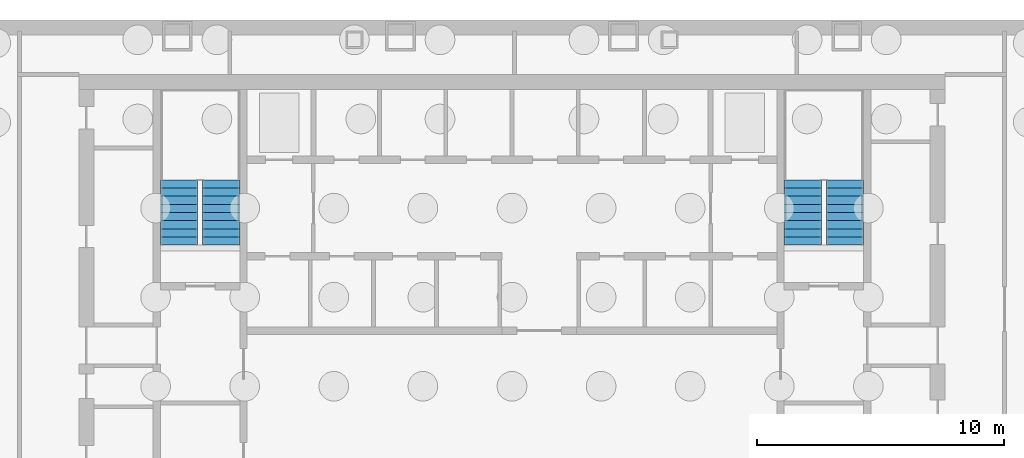
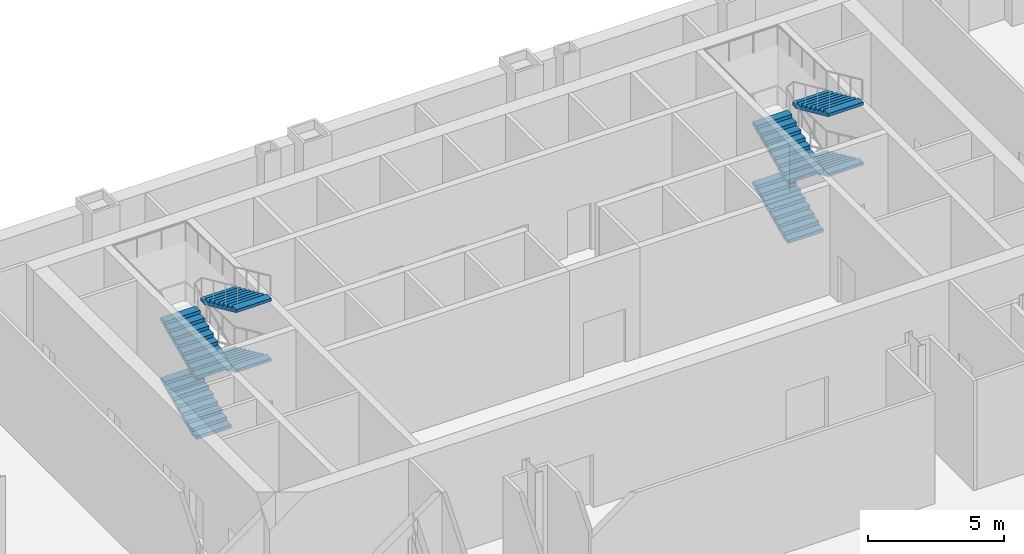
# One storey, part 15 of 19: 8 stair flights, 2 elements without a shape of their own.
"""IFC4 building model written with IfcOpenShell, lengths in metres."""

import ifcopenshell
import ifcopenshell.guid

model = None  # the IFC model being written
_history = None  # IfcOwnerHistory: only IFC2X3 demands one
_inside = {}  # id of a spatial element -> (the spatial element, [elements in it])
_under = {}  # id of a project, library or spatial element -> (it, [spatial elements below it])
_declared = {}  # id of a project -> (the project, [libraries it declares])
_typed = {}  # id of a type object -> (the type object, [elements of that type])
_made_of = {}  # id of a material, layer set ... -> (it, [elements and type objects made of it])


def new_model(schema):
    """Start an empty IFC model of exactly this schema.

    Asked for "IFC4X3", IfcOpenShell would pick the latest addendum, in which some entities
    have other attributes; the version numbers below select the first issue.
    IFC2X3 requires an IfcOwnerHistory on every rooted entity: one is made here for all.
    """
    global model, _history
    if schema == "IFC4X3":
        model = ifcopenshell.file(schema_version=(4, 3, 0, 0))
    else:
        model = ifcopenshell.file(schema=schema)
    _inside.clear()
    _under.clear()
    _declared.clear()
    _typed.clear()
    _made_of.clear()
    _history = None
    if model.schema == "IFC2X3":
        org = make("IfcOrganization", Name="unknown")
        user = make(
            "IfcPersonAndOrganization",
            ThePerson=make("IfcPerson", FamilyName="unknown"),
            TheOrganization=org,
        )
        app = make(
            "IfcApplication",
            ApplicationDeveloper=org,
            Version="unknown",
            ApplicationFullName="unknown",
            ApplicationIdentifier="unknown",
        )
        _history = make(
            "IfcOwnerHistory",
            OwningUser=user,
            OwningApplication=app,
            ChangeAction="ADDED",
            CreationDate=0,
        )
    return model


def make(cls, **values):
    """One entity of the class cls with the attributes given. An attribute that is None is left unset."""
    return model.create_entity(
        cls, **{name: value for name, value in values.items() if value is not None}
    )


def rooted(cls, **values):
    """An entity with a GlobalId (a new one), such as an element, a storey or a relation."""
    return make(cls, GlobalId=ifcopenshell.guid.new(), OwnerHistory=_history, **values)


def si_unit(unit_type, name, prefix=None):
    """IfcSIUnit, for example si_unit("LENGTHUNIT", "METRE", prefix="MILLI")."""
    return make("IfcSIUnit", UnitType=unit_type, Prefix=prefix, Name=name)


def assignment(units):
    """IfcUnitAssignment: the units of a project."""
    return None if units is None else make("IfcUnitAssignment", Units=units)


def point(xyz):
    """IfcCartesianPoint."""
    return None if xyz is None else make("IfcCartesianPoint", Coordinates=xyz)


def direction(xyz):
    """IfcDirection."""
    return None if xyz is None else make("IfcDirection", DirectionRatios=xyz)


def frame(location, z_axis=None, x_axis=None):
    """IfcAxis2Placement3D, a coordinate frame: its origin and axes. An axis left out is left unset."""
    return make(
        "IfcAxis2Placement3D",
        Location=point(location),
        Axis=direction(z_axis),
        RefDirection=direction(x_axis),
    )


def origin():
    """The frame at (0, 0, 0) with its axes left unset."""
    return frame((0.0, 0.0, 0.0))


def place(relative_to, where):
    """IfcLocalPlacement: puts the frame where relative to a parent placement (None: the world)."""
    return make(
        "IfcLocalPlacement", PlacementRelTo=relative_to, RelativePlacement=where
    )


def context(
    kind, dimensions, precision=None, world=None, true_north=None, identifier=None
):
    """IfcGeometricRepresentationContext, for example the 3D "Model" context."""
    return make(
        "IfcGeometricRepresentationContext",
        ContextIdentifier=identifier,
        ContextType=kind,
        CoordinateSpaceDimension=dimensions,
        Precision=precision,
        WorldCoordinateSystem=world,
        TrueNorth=true_north,
    )


def subcontext(parent, identifier, kind, view, scale=None):
    """IfcGeometricRepresentationSubContext, for example "Body" below "Model"."""
    return make(
        "IfcGeometricRepresentationSubContext",
        ContextIdentifier=identifier,
        ContextType=kind,
        ParentContext=parent,
        TargetScale=scale,
        TargetView=view,
    )


def project(units=None, contexts=None):
    """IfcProject with its units and contexts."""
    return rooted(
        "IfcProject",
        Name="project",
        RepresentationContexts=contexts,
        UnitsInContext=assignment(units),
    )


def spatial(cls, under=None, at=None, **own):
    """A site, building, storey or space (cls), placed at a placement, below another one or the project."""
    s = rooted(cls, ObjectPlacement=at, **own)
    if under is not None:
        _under.setdefault(under.id(), (under, []))[1].append(s)
    return s


def point_list(points):
    """IfcCartesianPointList2D or 3D."""
    cls = (
        "IfcCartesianPointList2D" if len(points[0]) == 2 else "IfcCartesianPointList3D"
    )
    return make(cls, CoordList=points)


def polygons(points, faces, closed=None, point_numbers=None):
    """IfcPolygonalFaceSet: a face is its outer loop, then its inner loops; points numbered from 1."""
    made = []
    for loops in faces:
        if len(loops) == 1:
            made.append(make("IfcIndexedPolygonalFace", CoordIndex=loops[0]))
        else:
            made.append(
                make(
                    "IfcIndexedPolygonalFaceWithVoids",
                    CoordIndex=loops[0],
                    InnerCoordIndices=loops[1:],
                )
            )
    return make(
        "IfcPolygonalFaceSet",
        Coordinates=point_list(points),
        Closed=closed,
        Faces=made,
        PnIndex=point_numbers,
    )


def shape(context_of_items, identifier, shape_type, items):
    """IfcShapeRepresentation: the items that make up one representation, for example the "Body"."""
    return make(
        "IfcShapeRepresentation",
        ContextOfItems=context_of_items,
        RepresentationIdentifier=identifier,
        RepresentationType=shape_type,
        Items=items,
    )


def material(Name=None, Category=None):
    """IfcMaterial."""
    return make("IfcMaterial", Name=Name, Category=Category)


def made_of(thing, what):
    """Note that an element or type object is made of a material, layer set ...; save() writes the relation."""
    if what is not None:
        _made_of.setdefault(what.id(), (what, []))[1].append(thing)
    return thing


def type_object(cls, material=None, **own):
    """A type object (cls), such as IfcWallType, which elements share."""
    return made_of(rooted(cls, **own), material)


def element(
    cls,
    number,
    at=None,
    inside=None,
    cuts=None,
    type_object=None,
    material=None,
    context=None,
    identifier="Body",
    shape_type=None,
    held_by="IfcProductDefinitionShape",
    body=None,
    shapes=None,
    **own,
):
    """One element of the class cls, such as IfcWall. Its Tag is "e" and its number.

    at: its placement. inside: the storey or other place that contains it. cuts: it is an
    opening in that element (IfcRelVoidsElement). A single representation is given by context,
    identifier, shape_type and body (its items); several are given by shapes. held_by: the class
    of the entity that holds the representations. save() writes the other relations.
    """
    e = rooted(cls, Tag="e%d" % number, ObjectPlacement=at, **own)
    if body is not None:
        shapes = [shape(context, identifier, shape_type, body)]
    if shapes is not None:
        e.Representation = make(held_by, Representations=shapes)
    if inside is not None:
        _inside.setdefault(inside.id(), (inside, []))[1].append(e)
    if cuts is not None:
        rooted(
            "IfcRelVoidsElement", RelatingBuildingElement=cuts, RelatedOpeningElement=e
        )
    if type_object is not None:
        _typed.setdefault(type_object.id(), (type_object, []))[1].append(e)
    return made_of(e, material)


def aggregate(whole, parts):
    """IfcRelAggregates: a whole, such as a stair, and the parts it consists of."""
    return rooted("IfcRelAggregates", RelatingObject=whole, RelatedObjects=parts)


def save(model, path):
    """Write the relations noted so far, then the file.

    IfcRelAggregates (storeys below a building ...), IfcRelContainedInSpatialStructure (elements
    in a storey), IfcRelDefinesByType, IfcRelAssociatesMaterial and IfcRelDeclares: one each for
    every whole, place, type object, material and project.
    """
    for whole, parts in _under.values():
        aggregate(whole, parts)
    for where, things in _inside.values():
        rooted(
            "IfcRelContainedInSpatialStructure",
            RelatedElements=things,
            RelatingStructure=where,
        )
    for kind, things in _typed.values():
        rooted("IfcRelDefinesByType", RelatedObjects=things, RelatingType=kind)
    for what, things in _made_of.values():
        rooted("IfcRelAssociatesMaterial", RelatedObjects=things, RelatingMaterial=what)
    for by, libraries in _declared.values():
        rooted("IfcRelDeclares", RelatingContext=by, RelatedDefinitions=libraries)
    model.write(path)


model = new_model("IFC4")

# Units and contexts
model_context = context("Model", 3, precision=1e-05, world=origin(), true_north=direction((0.0, 1.0)))
body_context = subcontext(model_context, "Body", "Model", "MODEL_VIEW")
ifc_project = project(units=[si_unit("LENGTHUNIT", "METRE"), si_unit("AREAUNIT", "SQUARE_METRE"), si_unit("VOLUMEUNIT", "CUBIC_METRE"), si_unit("PLANEANGLEUNIT", "RADIAN"), si_unit("MASSUNIT", "GRAM", prefix="KILO")], contexts=[model_context])

# Site, building, storey
site_placement = place(None, origin())
site = spatial("IfcSite", under=ifc_project, at=site_placement, CompositionType="ELEMENT")
building_placement = place(site_placement, origin())
building = spatial("IfcBuilding", under=site, at=building_placement, Name="Njiva Tower", CompositionType="ELEMENT")
storey_placement = place(building_placement, frame((0.0, 0.0, -16.8)))
storey = spatial("IfcBuildingStorey", under=building, at=storey_placement, Name="B3", CompositionType="ELEMENT", Elevation=-16.8)

# Stair, stair flights
ifc_material = material(Name="Concrete C40/50", Category="concrete")
stair_type = type_object("IfcStairType", Name="ST4 Exit stair 1500", PredefinedType="HALF_TURN_STAIR", material=ifc_material)
stair_1_placement = place(storey_placement, origin())
stair_1 = element("IfcStair", 1, at=stair_1_placement, inside=storey, type_object=stair_type, Name="Stair A basement", PredefinedType="DOUBLE_RETURN_STAIR")
stair_flight_type = type_object("IfcStairFlightType", Name="FL4 Stair flight 1500", PredefinedType="STRAIGHT", material=ifc_material)
stair_flight_1_placement = place(storey_placement, frame((-13.45, 11.1, 0.0), z_axis=(0.0, 0.0, 1.0), x_axis=(0.0, 1.0, 0.0)))
stair_flight_1 = element("IfcStairFlight", 2, at=stair_flight_1_placement, type_object=stair_flight_type, Name="ST-AB flight 1", NumberOfRisers=9, NumberOfTreads=8, PredefinedType="STRAIGHT", RiserHeight=0.15, TreadLength=0.33, context=body_context, shape_type="Tessellation", body=[
    polygons([(0.0, 0.75, 0.0), (0.0, 0.375, 0.0), (0.0, 0.0, 0.0), (0.0, -0.375, 0.0), (0.0, -0.75, 0.0), (0.0, 0.75, 0.15), (0.0, 0.375, 0.15), (0.0, 0.0, 0.15), (0.0, -0.375, 0.15), (0.0, -0.75, 0.15), (0.33, 0.75, 0.15), (0.33, 0.375, 0.15), (0.33, 0.0, 0.15), (0.33, -0.375, 0.15), (0.33, -0.75, 0.15), (0.33, 0.75, 0.3), (0.33, 0.375, 0.3), (0.33, 0.0, 0.3), (0.33, -0.375, 0.3), (0.33, -0.75, 0.3), (0.66, 0.75, 0.3), (0.66, 0.375, 0.3), (0.66, 0.0, 0.3), (0.66, -0.375, 0.3), (0.66, -0.75, 0.3), (0.66, 0.75, 0.45), (0.66, 0.375, 0.45), (0.66, 0.0, 0.45), (0.66, -0.375, 0.45), (0.66, -0.75, 0.45), (0.99, 0.75, 0.45), (0.99, 0.375, 0.45), (0.99, 0.0, 0.45), (0.99, -0.375, 0.45), (0.99, -0.75, 0.45), (0.99, 0.75, 0.6), (0.99, 0.375, 0.6), (0.99, 0.0, 0.6), (0.99, -0.375, 0.6), (0.99, -0.75, 0.6), (1.32, 0.75, 0.6), (1.32, 0.375, 0.6), (1.32, 0.0, 0.6), (1.32, -0.375, 0.6), (1.32, -0.75, 0.6), (1.32, 0.75, 0.75), (1.32, 0.375, 0.75), (1.32, 0.0, 0.75), (1.32, -0.375, 0.75), (1.32, -0.75, 0.75), (1.65, 0.75, 0.75), (1.65, 0.375, 0.75), (1.65, 0.0, 0.75), (1.65, -0.375, 0.75), (1.65, -0.75, 0.75), (1.65, 0.75, 0.9), (1.65, 0.375, 0.9), (1.65, 0.0, 0.9), (1.65, -0.375, 0.9), (1.65, -0.75, 0.9), (1.98, 0.75, 0.9), (1.98, 0.375, 0.9), (1.98, 0.0, 0.9), (1.98, -0.375, 0.9), (1.98, -0.75, 0.9), (1.98, 0.75, 1.05), (1.98, 0.375, 1.05), (1.98, 0.0, 1.05), (1.98, -0.375, 1.05), (1.98, -0.75, 1.05), (2.31, 0.75, 1.05), (2.31, 0.375, 1.05), (2.31, 0.0, 1.05), (2.31, -0.375, 1.05), (2.31, -0.75, 1.05), (2.31, 0.75, 1.2), (2.31, 0.375, 1.2), (2.31, 0.0, 1.2), (2.31, -0.375, 1.2), (2.31, -0.75, 1.2), (2.64, 0.75, 1.2), (2.64, 0.375, 1.2), (2.64, 0.0, 1.2), (2.64, -0.375, 1.2), (2.64, -0.75, 1.2), (2.64, 0.75, 1.0682), (2.64, 0.375, 1.0682), (2.64, 0.0, 1.0682), (2.64, -0.375, 1.0682), (2.64, -0.75, 1.0682), (0.29, 0.75, 0.0), (0.29, 0.375, 0.0), (0.29, 0.0, 0.0), (0.29, -0.375, 0.0), (0.29, -0.75, 0.0)], [[[1, 6, 11, 16, 21, 26, 31, 36, 41, 46, 51, 56, 61, 66, 71, 76, 81, 86, 91]], [[95, 90, 85, 80, 75, 70, 65, 60, 55, 50, 45, 40, 35, 30, 25, 20, 15, 10, 5]], [[6, 1, 2, 7]], [[7, 2, 3, 8]], [[8, 3, 4, 9]], [[9, 4, 5, 10]], [[11, 6, 7, 12]], [[12, 7, 8, 13]], [[13, 8, 9, 14]], [[14, 9, 10, 15]], [[16, 11, 12, 17]], [[17, 12, 13, 18]], [[18, 13, 14, 19]], [[19, 14, 15, 20]], [[21, 16, 17, 22]], [[22, 17, 18, 23]], [[23, 18, 19, 24]], [[24, 19, 20, 25]], [[26, 21, 22, 27]], [[27, 22, 23, 28]], [[28, 23, 24, 29]], [[29, 24, 25, 30]], [[31, 26, 27, 32]], [[32, 27, 28, 33]], [[33, 28, 29, 34]], [[34, 29, 30, 35]], [[36, 31, 32, 37]], [[37, 32, 33, 38]], [[38, 33, 34, 39]], [[39, 34, 35, 40]], [[41, 36, 37, 42]], [[42, 37, 38, 43]], [[43, 38, 39, 44]], [[44, 39, 40, 45]], [[46, 41, 42, 47]], [[47, 42, 43, 48]], [[48, 43, 44, 49]], [[49, 44, 45, 50]], [[51, 46, 47, 52]], [[52, 47, 48, 53]], [[53, 48, 49, 54]], [[54, 49, 50, 55]], [[56, 51, 52, 57]], [[57, 52, 53, 58]], [[58, 53, 54, 59]], [[59, 54, 55, 60]], [[61, 56, 57, 62]], [[62, 57, 58, 63]], [[63, 58, 59, 64]], [[64, 59, 60, 65]], [[66, 61, 62, 67]], [[67, 62, 63, 68]], [[68, 63, 64, 69]], [[69, 64, 65, 70]], [[71, 66, 67, 72]], [[72, 67, 68, 73]], [[73, 68, 69, 74]], [[74, 69, 70, 75]], [[76, 71, 72, 77]], [[77, 72, 73, 78]], [[78, 73, 74, 79]], [[79, 74, 75, 80]], [[81, 76, 77, 82]], [[82, 77, 78, 83]], [[83, 78, 79, 84]], [[84, 79, 80, 85]], [[86, 81, 82, 87]], [[87, 82, 83, 88]], [[88, 83, 84, 89]], [[89, 84, 85, 90]], [[91, 86, 87, 92]], [[92, 87, 88, 93]], [[93, 88, 89, 94]], [[94, 89, 90, 95]], [[1, 91, 92, 2]], [[2, 92, 93, 3]], [[3, 93, 94, 4]], [[4, 94, 95, 5]]], closed=True),
])
stair_flight_2_placement = place(storey_placement, frame((-11.75, 13.74, 1.35), z_axis=(0.0, 0.0, 1.0), x_axis=(0.0, -1.0, 0.0)))
stair_flight_2 = element("IfcStairFlight", 3, at=stair_flight_2_placement, type_object=stair_flight_type, Name="ST-AB flight 2", NumberOfRisers=9, NumberOfTreads=8, PredefinedType="STRAIGHT", RiserHeight=0.15, TreadLength=0.33, context=body_context, shape_type="Tessellation", body=[
    polygons([(0.0, 0.75, 0.0), (0.0, 0.375, 0.0), (0.0, 0.0, 0.0), (0.0, -0.375, 0.0), (0.0, -0.75, 0.0), (0.0, 0.75, 0.15), (0.0, 0.375, 0.15), (0.0, 0.0, 0.15), (0.0, -0.375, 0.15), (0.0, -0.75, 0.15), (0.33, 0.75, 0.15), (0.33, 0.375, 0.15), (0.33, 0.0, 0.15), (0.33, -0.375, 0.15), (0.33, -0.75, 0.15), (0.33, 0.75, 0.3), (0.33, 0.375, 0.3), (0.33, 0.0, 0.3), (0.33, -0.375, 0.3), (0.33, -0.75, 0.3), (0.66, 0.75, 0.3), (0.66, 0.375, 0.3), (0.66, 0.0, 0.3), (0.66, -0.375, 0.3), (0.66, -0.75, 0.3), (0.66, 0.75, 0.45), (0.66, 0.375, 0.45), (0.66, 0.0, 0.45), (0.66, -0.375, 0.45), (0.66, -0.75, 0.45), (0.99, 0.75, 0.45), (0.99, 0.375, 0.45), (0.99, 0.0, 0.45), (0.99, -0.375, 0.45), (0.99, -0.75, 0.45), (0.99, 0.75, 0.6), (0.99, 0.375, 0.6), (0.99, 0.0, 0.6), (0.99, -0.375, 0.6), (0.99, -0.75, 0.6), (1.32, 0.75, 0.6), (1.32, 0.375, 0.6), (1.32, 0.0, 0.6), (1.32, -0.375, 0.6), (1.32, -0.75, 0.6), (1.32, 0.75, 0.75), (1.32, 0.375, 0.75), (1.32, 0.0, 0.75), (1.32, -0.375, 0.75), (1.32, -0.75, 0.75), (1.65, 0.75, 0.75), (1.65, 0.375, 0.75), (1.65, 0.0, 0.75), (1.65, -0.375, 0.75), (1.65, -0.75, 0.75), (1.65, 0.75, 0.9), (1.65, 0.375, 0.9), (1.65, 0.0, 0.9), (1.65, -0.375, 0.9), (1.65, -0.75, 0.9), (1.98, 0.75, 0.9), (1.98, 0.375, 0.9), (1.98, 0.0, 0.9), (1.98, -0.375, 0.9), (1.98, -0.75, 0.9), (1.98, 0.75, 1.05), (1.98, 0.375, 1.05), (1.98, 0.0, 1.05), (1.98, -0.375, 1.05), (1.98, -0.75, 1.05), (2.31, 0.75, 1.05), (2.31, 0.375, 1.05), (2.31, 0.0, 1.05), (2.31, -0.375, 1.05), (2.31, -0.75, 1.05), (2.31, 0.75, 1.2), (2.31, 0.375, 1.2), (2.31, 0.0, 1.2), (2.31, -0.375, 1.2), (2.31, -0.75, 1.2), (2.64, 0.75, 1.2), (2.64, 0.375, 1.2), (2.64, 0.0, 1.2), (2.64, -0.375, 1.2), (2.64, -0.75, 1.2), (2.64, 0.75, 1.0682), (2.64, 0.375, 1.0682), (2.64, 0.0, 1.0682), (2.64, -0.375, 1.0682), (2.64, -0.75, 1.0682), (0.29, 0.75, 0.0), (0.29, 0.375, 0.0), (0.29, 0.0, 0.0), (0.29, -0.375, 0.0), (0.29, -0.75, 0.0)], [[[1, 6, 11, 16, 21, 26, 31, 36, 41, 46, 51, 56, 61, 66, 71, 76, 81, 86, 91]], [[95, 90, 85, 80, 75, 70, 65, 60, 55, 50, 45, 40, 35, 30, 25, 20, 15, 10, 5]], [[6, 1, 2, 7]], [[7, 2, 3, 8]], [[8, 3, 4, 9]], [[9, 4, 5, 10]], [[11, 6, 7, 12]], [[12, 7, 8, 13]], [[13, 8, 9, 14]], [[14, 9, 10, 15]], [[16, 11, 12, 17]], [[17, 12, 13, 18]], [[18, 13, 14, 19]], [[19, 14, 15, 20]], [[21, 16, 17, 22]], [[22, 17, 18, 23]], [[23, 18, 19, 24]], [[24, 19, 20, 25]], [[26, 21, 22, 27]], [[27, 22, 23, 28]], [[28, 23, 24, 29]], [[29, 24, 25, 30]], [[31, 26, 27, 32]], [[32, 27, 28, 33]], [[33, 28, 29, 34]], [[34, 29, 30, 35]], [[36, 31, 32, 37]], [[37, 32, 33, 38]], [[38, 33, 34, 39]], [[39, 34, 35, 40]], [[41, 36, 37, 42]], [[42, 37, 38, 43]], [[43, 38, 39, 44]], [[44, 39, 40, 45]], [[46, 41, 42, 47]], [[47, 42, 43, 48]], [[48, 43, 44, 49]], [[49, 44, 45, 50]], [[51, 46, 47, 52]], [[52, 47, 48, 53]], [[53, 48, 49, 54]], [[54, 49, 50, 55]], [[56, 51, 52, 57]], [[57, 52, 53, 58]], [[58, 53, 54, 59]], [[59, 54, 55, 60]], [[61, 56, 57, 62]], [[62, 57, 58, 63]], [[63, 58, 59, 64]], [[64, 59, 60, 65]], [[66, 61, 62, 67]], [[67, 62, 63, 68]], [[68, 63, 64, 69]], [[69, 64, 65, 70]], [[71, 66, 67, 72]], [[72, 67, 68, 73]], [[73, 68, 69, 74]], [[74, 69, 70, 75]], [[76, 71, 72, 77]], [[77, 72, 73, 78]], [[78, 73, 74, 79]], [[79, 74, 75, 80]], [[81, 76, 77, 82]], [[82, 77, 78, 83]], [[83, 78, 79, 84]], [[84, 79, 80, 85]], [[86, 81, 82, 87]], [[87, 82, 83, 88]], [[88, 83, 84, 89]], [[89, 84, 85, 90]], [[91, 86, 87, 92]], [[92, 87, 88, 93]], [[93, 88, 89, 94]], [[94, 89, 90, 95]], [[1, 91, 92, 2]], [[2, 92, 93, 3]], [[3, 93, 94, 4]], [[4, 94, 95, 5]]], closed=True),
])
stair_flight_3_placement = place(storey_placement, frame((-13.45, 11.1, 2.7), z_axis=(0.0, 0.0, 1.0), x_axis=(0.0, 1.0, 0.0)))
stair_flight_3 = element("IfcStairFlight", 4, at=stair_flight_3_placement, type_object=stair_flight_type, Name="ST-AB flight 3", NumberOfRisers=9, NumberOfTreads=8, PredefinedType="STRAIGHT", RiserHeight=0.15, TreadLength=0.33, context=body_context, shape_type="Tessellation", body=[
    polygons([(0.0, 0.75, 0.0), (0.0, 0.375, 0.0), (0.0, 0.0, 0.0), (0.0, -0.375, 0.0), (0.0, -0.75, 0.0), (0.0, 0.75, 0.15), (0.0, 0.375, 0.15), (0.0, 0.0, 0.15), (0.0, -0.375, 0.15), (0.0, -0.75, 0.15), (0.33, 0.75, 0.15), (0.33, 0.375, 0.15), (0.33, 0.0, 0.15), (0.33, -0.375, 0.15), (0.33, -0.75, 0.15), (0.33, 0.75, 0.3), (0.33, 0.375, 0.3), (0.33, 0.0, 0.3), (0.33, -0.375, 0.3), (0.33, -0.75, 0.3), (0.66, 0.75, 0.3), (0.66, 0.375, 0.3), (0.66, 0.0, 0.3), (0.66, -0.375, 0.3), (0.66, -0.75, 0.3), (0.66, 0.75, 0.45), (0.66, 0.375, 0.45), (0.66, 0.0, 0.45), (0.66, -0.375, 0.45), (0.66, -0.75, 0.45), (0.99, 0.75, 0.45), (0.99, 0.375, 0.45), (0.99, 0.0, 0.45), (0.99, -0.375, 0.45), (0.99, -0.75, 0.45), (0.99, 0.75, 0.6), (0.99, 0.375, 0.6), (0.99, 0.0, 0.6), (0.99, -0.375, 0.6), (0.99, -0.75, 0.6), (1.32, 0.75, 0.6), (1.32, 0.375, 0.6), (1.32, 0.0, 0.6), (1.32, -0.375, 0.6), (1.32, -0.75, 0.6), (1.32, 0.75, 0.75), (1.32, 0.375, 0.75), (1.32, 0.0, 0.75), (1.32, -0.375, 0.75), (1.32, -0.75, 0.75), (1.65, 0.75, 0.75), (1.65, 0.375, 0.75), (1.65, 0.0, 0.75), (1.65, -0.375, 0.75), (1.65, -0.75, 0.75), (1.65, 0.75, 0.9), (1.65, 0.375, 0.9), (1.65, 0.0, 0.9), (1.65, -0.375, 0.9), (1.65, -0.75, 0.9), (1.98, 0.75, 0.9), (1.98, 0.375, 0.9), (1.98, 0.0, 0.9), (1.98, -0.375, 0.9), (1.98, -0.75, 0.9), (1.98, 0.75, 1.05), (1.98, 0.375, 1.05), (1.98, 0.0, 1.05), (1.98, -0.375, 1.05), (1.98, -0.75, 1.05), (2.31, 0.75, 1.05), (2.31, 0.375, 1.05), (2.31, 0.0, 1.05), (2.31, -0.375, 1.05), (2.31, -0.75, 1.05), (2.31, 0.75, 1.2), (2.31, 0.375, 1.2), (2.31, 0.0, 1.2), (2.31, -0.375, 1.2), (2.31, -0.75, 1.2), (2.64, 0.75, 1.2), (2.64, 0.375, 1.2), (2.64, 0.0, 1.2), (2.64, -0.375, 1.2), (2.64, -0.75, 1.2), (2.64, 0.75, 1.0682), (2.64, 0.375, 1.0682), (2.64, 0.0, 1.0682), (2.64, -0.375, 1.0682), (2.64, -0.75, 1.0682), (0.29, 0.75, 0.0), (0.29, 0.375, 0.0), (0.29, 0.0, 0.0), (0.29, -0.375, 0.0), (0.29, -0.75, 0.0)], [[[1, 6, 11, 16, 21, 26, 31, 36, 41, 46, 51, 56, 61, 66, 71, 76, 81, 86, 91]], [[95, 90, 85, 80, 75, 70, 65, 60, 55, 50, 45, 40, 35, 30, 25, 20, 15, 10, 5]], [[6, 1, 2, 7]], [[7, 2, 3, 8]], [[8, 3, 4, 9]], [[9, 4, 5, 10]], [[11, 6, 7, 12]], [[12, 7, 8, 13]], [[13, 8, 9, 14]], [[14, 9, 10, 15]], [[16, 11, 12, 17]], [[17, 12, 13, 18]], [[18, 13, 14, 19]], [[19, 14, 15, 20]], [[21, 16, 17, 22]], [[22, 17, 18, 23]], [[23, 18, 19, 24]], [[24, 19, 20, 25]], [[26, 21, 22, 27]], [[27, 22, 23, 28]], [[28, 23, 24, 29]], [[29, 24, 25, 30]], [[31, 26, 27, 32]], [[32, 27, 28, 33]], [[33, 28, 29, 34]], [[34, 29, 30, 35]], [[36, 31, 32, 37]], [[37, 32, 33, 38]], [[38, 33, 34, 39]], [[39, 34, 35, 40]], [[41, 36, 37, 42]], [[42, 37, 38, 43]], [[43, 38, 39, 44]], [[44, 39, 40, 45]], [[46, 41, 42, 47]], [[47, 42, 43, 48]], [[48, 43, 44, 49]], [[49, 44, 45, 50]], [[51, 46, 47, 52]], [[52, 47, 48, 53]], [[53, 48, 49, 54]], [[54, 49, 50, 55]], [[56, 51, 52, 57]], [[57, 52, 53, 58]], [[58, 53, 54, 59]], [[59, 54, 55, 60]], [[61, 56, 57, 62]], [[62, 57, 58, 63]], [[63, 58, 59, 64]], [[64, 59, 60, 65]], [[66, 61, 62, 67]], [[67, 62, 63, 68]], [[68, 63, 64, 69]], [[69, 64, 65, 70]], [[71, 66, 67, 72]], [[72, 67, 68, 73]], [[73, 68, 69, 74]], [[74, 69, 70, 75]], [[76, 71, 72, 77]], [[77, 72, 73, 78]], [[78, 73, 74, 79]], [[79, 74, 75, 80]], [[81, 76, 77, 82]], [[82, 77, 78, 83]], [[83, 78, 79, 84]], [[84, 79, 80, 85]], [[86, 81, 82, 87]], [[87, 82, 83, 88]], [[88, 83, 84, 89]], [[89, 84, 85, 90]], [[91, 86, 87, 92]], [[92, 87, 88, 93]], [[93, 88, 89, 94]], [[94, 89, 90, 95]], [[1, 91, 92, 2]], [[2, 92, 93, 3]], [[3, 93, 94, 4]], [[4, 94, 95, 5]]], closed=True),
])
stair_flight_4_placement = place(storey_placement, frame((-11.75, 13.74, 4.05), z_axis=(0.0, 0.0, 1.0), x_axis=(0.0, -1.0, 0.0)))
stair_flight_4 = element("IfcStairFlight", 5, at=stair_flight_4_placement, type_object=stair_flight_type, Name="ST-AB flight 4", NumberOfRisers=9, NumberOfTreads=8, PredefinedType="STRAIGHT", RiserHeight=0.15, TreadLength=0.33, context=body_context, shape_type="Tessellation", body=[
    polygons([(0.0, 0.75, 0.0), (0.0, 0.375, 0.0), (0.0, 0.0, 0.0), (0.0, -0.375, 0.0), (0.0, -0.75, 0.0), (0.0, 0.75, 0.15), (0.0, 0.375, 0.15), (0.0, 0.0, 0.15), (0.0, -0.375, 0.15), (0.0, -0.75, 0.15), (0.33, 0.75, 0.15), (0.33, 0.375, 0.15), (0.33, 0.0, 0.15), (0.33, -0.375, 0.15), (0.33, -0.75, 0.15), (0.33, 0.75, 0.3), (0.33, 0.375, 0.3), (0.33, 0.0, 0.3), (0.33, -0.375, 0.3), (0.33, -0.75, 0.3), (0.66, 0.75, 0.3), (0.66, 0.375, 0.3), (0.66, 0.0, 0.3), (0.66, -0.375, 0.3), (0.66, -0.75, 0.3), (0.66, 0.75, 0.45), (0.66, 0.375, 0.45), (0.66, 0.0, 0.45), (0.66, -0.375, 0.45), (0.66, -0.75, 0.45), (0.99, 0.75, 0.45), (0.99, 0.375, 0.45), (0.99, 0.0, 0.45), (0.99, -0.375, 0.45), (0.99, -0.75, 0.45), (0.99, 0.75, 0.6), (0.99, 0.375, 0.6), (0.99, 0.0, 0.6), (0.99, -0.375, 0.6), (0.99, -0.75, 0.6), (1.32, 0.75, 0.6), (1.32, 0.375, 0.6), (1.32, 0.0, 0.6), (1.32, -0.375, 0.6), (1.32, -0.75, 0.6), (1.32, 0.75, 0.75), (1.32, 0.375, 0.75), (1.32, 0.0, 0.75), (1.32, -0.375, 0.75), (1.32, -0.75, 0.75), (1.65, 0.75, 0.75), (1.65, 0.375, 0.75), (1.65, 0.0, 0.75), (1.65, -0.375, 0.75), (1.65, -0.75, 0.75), (1.65, 0.75, 0.9), (1.65, 0.375, 0.9), (1.65, 0.0, 0.9), (1.65, -0.375, 0.9), (1.65, -0.75, 0.9), (1.98, 0.75, 0.9), (1.98, 0.375, 0.9), (1.98, 0.0, 0.9), (1.98, -0.375, 0.9), (1.98, -0.75, 0.9), (1.98, 0.75, 1.05), (1.98, 0.375, 1.05), (1.98, 0.0, 1.05), (1.98, -0.375, 1.05), (1.98, -0.75, 1.05), (2.31, 0.75, 1.05), (2.31, 0.375, 1.05), (2.31, 0.0, 1.05), (2.31, -0.375, 1.05), (2.31, -0.75, 1.05), (2.31, 0.75, 1.2), (2.31, 0.375, 1.2), (2.31, 0.0, 1.2), (2.31, -0.375, 1.2), (2.31, -0.75, 1.2), (2.64, 0.75, 1.2), (2.64, 0.375, 1.2), (2.64, 0.0, 1.2), (2.64, -0.375, 1.2), (2.64, -0.75, 1.2), (2.64, 0.75, 1.0682), (2.64, 0.375, 1.0682), (2.64, 0.0, 1.0682), (2.64, -0.375, 1.0682), (2.64, -0.75, 1.0682), (0.29, 0.75, 0.0), (0.29, 0.375, 0.0), (0.29, 0.0, 0.0), (0.29, -0.375, 0.0), (0.29, -0.75, 0.0)], [[[1, 6, 11, 16, 21, 26, 31, 36, 41, 46, 51, 56, 61, 66, 71, 76, 81, 86, 91]], [[95, 90, 85, 80, 75, 70, 65, 60, 55, 50, 45, 40, 35, 30, 25, 20, 15, 10, 5]], [[6, 1, 2, 7]], [[7, 2, 3, 8]], [[8, 3, 4, 9]], [[9, 4, 5, 10]], [[11, 6, 7, 12]], [[12, 7, 8, 13]], [[13, 8, 9, 14]], [[14, 9, 10, 15]], [[16, 11, 12, 17]], [[17, 12, 13, 18]], [[18, 13, 14, 19]], [[19, 14, 15, 20]], [[21, 16, 17, 22]], [[22, 17, 18, 23]], [[23, 18, 19, 24]], [[24, 19, 20, 25]], [[26, 21, 22, 27]], [[27, 22, 23, 28]], [[28, 23, 24, 29]], [[29, 24, 25, 30]], [[31, 26, 27, 32]], [[32, 27, 28, 33]], [[33, 28, 29, 34]], [[34, 29, 30, 35]], [[36, 31, 32, 37]], [[37, 32, 33, 38]], [[38, 33, 34, 39]], [[39, 34, 35, 40]], [[41, 36, 37, 42]], [[42, 37, 38, 43]], [[43, 38, 39, 44]], [[44, 39, 40, 45]], [[46, 41, 42, 47]], [[47, 42, 43, 48]], [[48, 43, 44, 49]], [[49, 44, 45, 50]], [[51, 46, 47, 52]], [[52, 47, 48, 53]], [[53, 48, 49, 54]], [[54, 49, 50, 55]], [[56, 51, 52, 57]], [[57, 52, 53, 58]], [[58, 53, 54, 59]], [[59, 54, 55, 60]], [[61, 56, 57, 62]], [[62, 57, 58, 63]], [[63, 58, 59, 64]], [[64, 59, 60, 65]], [[66, 61, 62, 67]], [[67, 62, 63, 68]], [[68, 63, 64, 69]], [[69, 64, 65, 70]], [[71, 66, 67, 72]], [[72, 67, 68, 73]], [[73, 68, 69, 74]], [[74, 69, 70, 75]], [[76, 71, 72, 77]], [[77, 72, 73, 78]], [[78, 73, 74, 79]], [[79, 74, 75, 80]], [[81, 76, 77, 82]], [[82, 77, 78, 83]], [[83, 78, 79, 84]], [[84, 79, 80, 85]], [[86, 81, 82, 87]], [[87, 82, 83, 88]], [[88, 83, 84, 89]], [[89, 84, 85, 90]], [[91, 86, 87, 92]], [[92, 87, 88, 93]], [[93, 88, 89, 94]], [[94, 89, 90, 95]], [[1, 91, 92, 2]], [[2, 92, 93, 3]], [[3, 93, 94, 4]], [[4, 94, 95, 5]]], closed=True),
])
aggregate(stair_1, [stair_flight_1, stair_flight_2, stair_flight_3, stair_flight_4])

stair_2_placement = place(storey_placement, origin())
stair_2 = element("IfcStair", 6, at=stair_2_placement, inside=storey, type_object=stair_type, Name="Stair B basement", PredefinedType="DOUBLE_RETURN_STAIR")
stair_flight_5_placement = place(storey_placement, frame((11.75, 11.1, 0.0), z_axis=(0.0, 0.0, 1.0), x_axis=(0.0, 1.0, 0.0)))
stair_flight_5 = element("IfcStairFlight", 7, at=stair_flight_5_placement, type_object=stair_flight_type, Name="ST-BB flight 1", NumberOfRisers=9, NumberOfTreads=8, PredefinedType="STRAIGHT", RiserHeight=0.15, TreadLength=0.33, context=body_context, shape_type="Tessellation", body=[
    polygons([(0.0, 0.75, 0.0), (0.0, 0.375, 0.0), (0.0, 0.0, 0.0), (0.0, -0.375, 0.0), (0.0, -0.75, 0.0), (0.0, 0.75, 0.15), (0.0, 0.375, 0.15), (0.0, 0.0, 0.15), (0.0, -0.375, 0.15), (0.0, -0.75, 0.15), (0.33, 0.75, 0.15), (0.33, 0.375, 0.15), (0.33, 0.0, 0.15), (0.33, -0.375, 0.15), (0.33, -0.75, 0.15), (0.33, 0.75, 0.3), (0.33, 0.375, 0.3), (0.33, 0.0, 0.3), (0.33, -0.375, 0.3), (0.33, -0.75, 0.3), (0.66, 0.75, 0.3), (0.66, 0.375, 0.3), (0.66, 0.0, 0.3), (0.66, -0.375, 0.3), (0.66, -0.75, 0.3), (0.66, 0.75, 0.45), (0.66, 0.375, 0.45), (0.66, 0.0, 0.45), (0.66, -0.375, 0.45), (0.66, -0.75, 0.45), (0.99, 0.75, 0.45), (0.99, 0.375, 0.45), (0.99, 0.0, 0.45), (0.99, -0.375, 0.45), (0.99, -0.75, 0.45), (0.99, 0.75, 0.6), (0.99, 0.375, 0.6), (0.99, 0.0, 0.6), (0.99, -0.375, 0.6), (0.99, -0.75, 0.6), (1.32, 0.75, 0.6), (1.32, 0.375, 0.6), (1.32, 0.0, 0.6), (1.32, -0.375, 0.6), (1.32, -0.75, 0.6), (1.32, 0.75, 0.75), (1.32, 0.375, 0.75), (1.32, 0.0, 0.75), (1.32, -0.375, 0.75), (1.32, -0.75, 0.75), (1.65, 0.75, 0.75), (1.65, 0.375, 0.75), (1.65, 0.0, 0.75), (1.65, -0.375, 0.75), (1.65, -0.75, 0.75), (1.65, 0.75, 0.9), (1.65, 0.375, 0.9), (1.65, 0.0, 0.9), (1.65, -0.375, 0.9), (1.65, -0.75, 0.9), (1.98, 0.75, 0.9), (1.98, 0.375, 0.9), (1.98, 0.0, 0.9), (1.98, -0.375, 0.9), (1.98, -0.75, 0.9), (1.98, 0.75, 1.05), (1.98, 0.375, 1.05), (1.98, 0.0, 1.05), (1.98, -0.375, 1.05), (1.98, -0.75, 1.05), (2.31, 0.75, 1.05), (2.31, 0.375, 1.05), (2.31, 0.0, 1.05), (2.31, -0.375, 1.05), (2.31, -0.75, 1.05), (2.31, 0.75, 1.2), (2.31, 0.375, 1.2), (2.31, 0.0, 1.2), (2.31, -0.375, 1.2), (2.31, -0.75, 1.2), (2.64, 0.75, 1.2), (2.64, 0.375, 1.2), (2.64, 0.0, 1.2), (2.64, -0.375, 1.2), (2.64, -0.75, 1.2), (2.64, 0.75, 1.0682), (2.64, 0.375, 1.0682), (2.64, 0.0, 1.0682), (2.64, -0.375, 1.0682), (2.64, -0.75, 1.0682), (0.29, 0.75, 0.0), (0.29, 0.375, 0.0), (0.29, 0.0, 0.0), (0.29, -0.375, 0.0), (0.29, -0.75, 0.0)], [[[1, 6, 11, 16, 21, 26, 31, 36, 41, 46, 51, 56, 61, 66, 71, 76, 81, 86, 91]], [[95, 90, 85, 80, 75, 70, 65, 60, 55, 50, 45, 40, 35, 30, 25, 20, 15, 10, 5]], [[6, 1, 2, 7]], [[7, 2, 3, 8]], [[8, 3, 4, 9]], [[9, 4, 5, 10]], [[11, 6, 7, 12]], [[12, 7, 8, 13]], [[13, 8, 9, 14]], [[14, 9, 10, 15]], [[16, 11, 12, 17]], [[17, 12, 13, 18]], [[18, 13, 14, 19]], [[19, 14, 15, 20]], [[21, 16, 17, 22]], [[22, 17, 18, 23]], [[23, 18, 19, 24]], [[24, 19, 20, 25]], [[26, 21, 22, 27]], [[27, 22, 23, 28]], [[28, 23, 24, 29]], [[29, 24, 25, 30]], [[31, 26, 27, 32]], [[32, 27, 28, 33]], [[33, 28, 29, 34]], [[34, 29, 30, 35]], [[36, 31, 32, 37]], [[37, 32, 33, 38]], [[38, 33, 34, 39]], [[39, 34, 35, 40]], [[41, 36, 37, 42]], [[42, 37, 38, 43]], [[43, 38, 39, 44]], [[44, 39, 40, 45]], [[46, 41, 42, 47]], [[47, 42, 43, 48]], [[48, 43, 44, 49]], [[49, 44, 45, 50]], [[51, 46, 47, 52]], [[52, 47, 48, 53]], [[53, 48, 49, 54]], [[54, 49, 50, 55]], [[56, 51, 52, 57]], [[57, 52, 53, 58]], [[58, 53, 54, 59]], [[59, 54, 55, 60]], [[61, 56, 57, 62]], [[62, 57, 58, 63]], [[63, 58, 59, 64]], [[64, 59, 60, 65]], [[66, 61, 62, 67]], [[67, 62, 63, 68]], [[68, 63, 64, 69]], [[69, 64, 65, 70]], [[71, 66, 67, 72]], [[72, 67, 68, 73]], [[73, 68, 69, 74]], [[74, 69, 70, 75]], [[76, 71, 72, 77]], [[77, 72, 73, 78]], [[78, 73, 74, 79]], [[79, 74, 75, 80]], [[81, 76, 77, 82]], [[82, 77, 78, 83]], [[83, 78, 79, 84]], [[84, 79, 80, 85]], [[86, 81, 82, 87]], [[87, 82, 83, 88]], [[88, 83, 84, 89]], [[89, 84, 85, 90]], [[91, 86, 87, 92]], [[92, 87, 88, 93]], [[93, 88, 89, 94]], [[94, 89, 90, 95]], [[1, 91, 92, 2]], [[2, 92, 93, 3]], [[3, 93, 94, 4]], [[4, 94, 95, 5]]], closed=True),
])
stair_flight_6_placement = place(storey_placement, frame((13.45, 13.74, 1.35), z_axis=(0.0, 0.0, 1.0), x_axis=(0.0, -1.0, 0.0)))
stair_flight_6 = element("IfcStairFlight", 8, at=stair_flight_6_placement, type_object=stair_flight_type, Name="ST-BB flight 2", NumberOfRisers=9, NumberOfTreads=8, PredefinedType="STRAIGHT", RiserHeight=0.15, TreadLength=0.33, context=body_context, shape_type="Tessellation", body=[
    polygons([(0.0, 0.75, 0.0), (0.0, 0.375, 0.0), (0.0, 0.0, 0.0), (0.0, -0.375, 0.0), (0.0, -0.75, 0.0), (0.0, 0.75, 0.15), (0.0, 0.375, 0.15), (0.0, 0.0, 0.15), (0.0, -0.375, 0.15), (0.0, -0.75, 0.15), (0.33, 0.75, 0.15), (0.33, 0.375, 0.15), (0.33, 0.0, 0.15), (0.33, -0.375, 0.15), (0.33, -0.75, 0.15), (0.33, 0.75, 0.3), (0.33, 0.375, 0.3), (0.33, 0.0, 0.3), (0.33, -0.375, 0.3), (0.33, -0.75, 0.3), (0.66, 0.75, 0.3), (0.66, 0.375, 0.3), (0.66, 0.0, 0.3), (0.66, -0.375, 0.3), (0.66, -0.75, 0.3), (0.66, 0.75, 0.45), (0.66, 0.375, 0.45), (0.66, 0.0, 0.45), (0.66, -0.375, 0.45), (0.66, -0.75, 0.45), (0.99, 0.75, 0.45), (0.99, 0.375, 0.45), (0.99, 0.0, 0.45), (0.99, -0.375, 0.45), (0.99, -0.75, 0.45), (0.99, 0.75, 0.6), (0.99, 0.375, 0.6), (0.99, 0.0, 0.6), (0.99, -0.375, 0.6), (0.99, -0.75, 0.6), (1.32, 0.75, 0.6), (1.32, 0.375, 0.6), (1.32, 0.0, 0.6), (1.32, -0.375, 0.6), (1.32, -0.75, 0.6), (1.32, 0.75, 0.75), (1.32, 0.375, 0.75), (1.32, 0.0, 0.75), (1.32, -0.375, 0.75), (1.32, -0.75, 0.75), (1.65, 0.75, 0.75), (1.65, 0.375, 0.75), (1.65, 0.0, 0.75), (1.65, -0.375, 0.75), (1.65, -0.75, 0.75), (1.65, 0.75, 0.9), (1.65, 0.375, 0.9), (1.65, 0.0, 0.9), (1.65, -0.375, 0.9), (1.65, -0.75, 0.9), (1.98, 0.75, 0.9), (1.98, 0.375, 0.9), (1.98, 0.0, 0.9), (1.98, -0.375, 0.9), (1.98, -0.75, 0.9), (1.98, 0.75, 1.05), (1.98, 0.375, 1.05), (1.98, 0.0, 1.05), (1.98, -0.375, 1.05), (1.98, -0.75, 1.05), (2.31, 0.75, 1.05), (2.31, 0.375, 1.05), (2.31, 0.0, 1.05), (2.31, -0.375, 1.05), (2.31, -0.75, 1.05), (2.31, 0.75, 1.2), (2.31, 0.375, 1.2), (2.31, 0.0, 1.2), (2.31, -0.375, 1.2), (2.31, -0.75, 1.2), (2.64, 0.75, 1.2), (2.64, 0.375, 1.2), (2.64, 0.0, 1.2), (2.64, -0.375, 1.2), (2.64, -0.75, 1.2), (2.64, 0.75, 1.0682), (2.64, 0.375, 1.0682), (2.64, 0.0, 1.0682), (2.64, -0.375, 1.0682), (2.64, -0.75, 1.0682), (0.29, 0.75, 0.0), (0.29, 0.375, 0.0), (0.29, 0.0, 0.0), (0.29, -0.375, 0.0), (0.29, -0.75, 0.0)], [[[1, 6, 11, 16, 21, 26, 31, 36, 41, 46, 51, 56, 61, 66, 71, 76, 81, 86, 91]], [[95, 90, 85, 80, 75, 70, 65, 60, 55, 50, 45, 40, 35, 30, 25, 20, 15, 10, 5]], [[6, 1, 2, 7]], [[7, 2, 3, 8]], [[8, 3, 4, 9]], [[9, 4, 5, 10]], [[11, 6, 7, 12]], [[12, 7, 8, 13]], [[13, 8, 9, 14]], [[14, 9, 10, 15]], [[16, 11, 12, 17]], [[17, 12, 13, 18]], [[18, 13, 14, 19]], [[19, 14, 15, 20]], [[21, 16, 17, 22]], [[22, 17, 18, 23]], [[23, 18, 19, 24]], [[24, 19, 20, 25]], [[26, 21, 22, 27]], [[27, 22, 23, 28]], [[28, 23, 24, 29]], [[29, 24, 25, 30]], [[31, 26, 27, 32]], [[32, 27, 28, 33]], [[33, 28, 29, 34]], [[34, 29, 30, 35]], [[36, 31, 32, 37]], [[37, 32, 33, 38]], [[38, 33, 34, 39]], [[39, 34, 35, 40]], [[41, 36, 37, 42]], [[42, 37, 38, 43]], [[43, 38, 39, 44]], [[44, 39, 40, 45]], [[46, 41, 42, 47]], [[47, 42, 43, 48]], [[48, 43, 44, 49]], [[49, 44, 45, 50]], [[51, 46, 47, 52]], [[52, 47, 48, 53]], [[53, 48, 49, 54]], [[54, 49, 50, 55]], [[56, 51, 52, 57]], [[57, 52, 53, 58]], [[58, 53, 54, 59]], [[59, 54, 55, 60]], [[61, 56, 57, 62]], [[62, 57, 58, 63]], [[63, 58, 59, 64]], [[64, 59, 60, 65]], [[66, 61, 62, 67]], [[67, 62, 63, 68]], [[68, 63, 64, 69]], [[69, 64, 65, 70]], [[71, 66, 67, 72]], [[72, 67, 68, 73]], [[73, 68, 69, 74]], [[74, 69, 70, 75]], [[76, 71, 72, 77]], [[77, 72, 73, 78]], [[78, 73, 74, 79]], [[79, 74, 75, 80]], [[81, 76, 77, 82]], [[82, 77, 78, 83]], [[83, 78, 79, 84]], [[84, 79, 80, 85]], [[86, 81, 82, 87]], [[87, 82, 83, 88]], [[88, 83, 84, 89]], [[89, 84, 85, 90]], [[91, 86, 87, 92]], [[92, 87, 88, 93]], [[93, 88, 89, 94]], [[94, 89, 90, 95]], [[1, 91, 92, 2]], [[2, 92, 93, 3]], [[3, 93, 94, 4]], [[4, 94, 95, 5]]], closed=True),
])
stair_flight_7_placement = place(storey_placement, frame((11.75, 11.1, 2.7), z_axis=(0.0, 0.0, 1.0), x_axis=(0.0, 1.0, 0.0)))
stair_flight_7 = element("IfcStairFlight", 9, at=stair_flight_7_placement, type_object=stair_flight_type, Name="ST-BB flight 3", NumberOfRisers=9, NumberOfTreads=8, PredefinedType="STRAIGHT", RiserHeight=0.15, TreadLength=0.33, context=body_context, shape_type="Tessellation", body=[
    polygons([(0.0, 0.75, 0.0), (0.0, 0.375, 0.0), (0.0, 0.0, 0.0), (0.0, -0.375, 0.0), (0.0, -0.75, 0.0), (0.0, 0.75, 0.15), (0.0, 0.375, 0.15), (0.0, 0.0, 0.15), (0.0, -0.375, 0.15), (0.0, -0.75, 0.15), (0.33, 0.75, 0.15), (0.33, 0.375, 0.15), (0.33, 0.0, 0.15), (0.33, -0.375, 0.15), (0.33, -0.75, 0.15), (0.33, 0.75, 0.3), (0.33, 0.375, 0.3), (0.33, 0.0, 0.3), (0.33, -0.375, 0.3), (0.33, -0.75, 0.3), (0.66, 0.75, 0.3), (0.66, 0.375, 0.3), (0.66, 0.0, 0.3), (0.66, -0.375, 0.3), (0.66, -0.75, 0.3), (0.66, 0.75, 0.45), (0.66, 0.375, 0.45), (0.66, 0.0, 0.45), (0.66, -0.375, 0.45), (0.66, -0.75, 0.45), (0.99, 0.75, 0.45), (0.99, 0.375, 0.45), (0.99, 0.0, 0.45), (0.99, -0.375, 0.45), (0.99, -0.75, 0.45), (0.99, 0.75, 0.6), (0.99, 0.375, 0.6), (0.99, 0.0, 0.6), (0.99, -0.375, 0.6), (0.99, -0.75, 0.6), (1.32, 0.75, 0.6), (1.32, 0.375, 0.6), (1.32, 0.0, 0.6), (1.32, -0.375, 0.6), (1.32, -0.75, 0.6), (1.32, 0.75, 0.75), (1.32, 0.375, 0.75), (1.32, 0.0, 0.75), (1.32, -0.375, 0.75), (1.32, -0.75, 0.75), (1.65, 0.75, 0.75), (1.65, 0.375, 0.75), (1.65, 0.0, 0.75), (1.65, -0.375, 0.75), (1.65, -0.75, 0.75), (1.65, 0.75, 0.9), (1.65, 0.375, 0.9), (1.65, 0.0, 0.9), (1.65, -0.375, 0.9), (1.65, -0.75, 0.9), (1.98, 0.75, 0.9), (1.98, 0.375, 0.9), (1.98, 0.0, 0.9), (1.98, -0.375, 0.9), (1.98, -0.75, 0.9), (1.98, 0.75, 1.05), (1.98, 0.375, 1.05), (1.98, 0.0, 1.05), (1.98, -0.375, 1.05), (1.98, -0.75, 1.05), (2.31, 0.75, 1.05), (2.31, 0.375, 1.05), (2.31, 0.0, 1.05), (2.31, -0.375, 1.05), (2.31, -0.75, 1.05), (2.31, 0.75, 1.2), (2.31, 0.375, 1.2), (2.31, 0.0, 1.2), (2.31, -0.375, 1.2), (2.31, -0.75, 1.2), (2.64, 0.75, 1.2), (2.64, 0.375, 1.2), (2.64, 0.0, 1.2), (2.64, -0.375, 1.2), (2.64, -0.75, 1.2), (2.64, 0.75, 1.0682), (2.64, 0.375, 1.0682), (2.64, 0.0, 1.0682), (2.64, -0.375, 1.0682), (2.64, -0.75, 1.0682), (0.29, 0.75, 0.0), (0.29, 0.375, 0.0), (0.29, 0.0, 0.0), (0.29, -0.375, 0.0), (0.29, -0.75, 0.0)], [[[1, 6, 11, 16, 21, 26, 31, 36, 41, 46, 51, 56, 61, 66, 71, 76, 81, 86, 91]], [[95, 90, 85, 80, 75, 70, 65, 60, 55, 50, 45, 40, 35, 30, 25, 20, 15, 10, 5]], [[6, 1, 2, 7]], [[7, 2, 3, 8]], [[8, 3, 4, 9]], [[9, 4, 5, 10]], [[11, 6, 7, 12]], [[12, 7, 8, 13]], [[13, 8, 9, 14]], [[14, 9, 10, 15]], [[16, 11, 12, 17]], [[17, 12, 13, 18]], [[18, 13, 14, 19]], [[19, 14, 15, 20]], [[21, 16, 17, 22]], [[22, 17, 18, 23]], [[23, 18, 19, 24]], [[24, 19, 20, 25]], [[26, 21, 22, 27]], [[27, 22, 23, 28]], [[28, 23, 24, 29]], [[29, 24, 25, 30]], [[31, 26, 27, 32]], [[32, 27, 28, 33]], [[33, 28, 29, 34]], [[34, 29, 30, 35]], [[36, 31, 32, 37]], [[37, 32, 33, 38]], [[38, 33, 34, 39]], [[39, 34, 35, 40]], [[41, 36, 37, 42]], [[42, 37, 38, 43]], [[43, 38, 39, 44]], [[44, 39, 40, 45]], [[46, 41, 42, 47]], [[47, 42, 43, 48]], [[48, 43, 44, 49]], [[49, 44, 45, 50]], [[51, 46, 47, 52]], [[52, 47, 48, 53]], [[53, 48, 49, 54]], [[54, 49, 50, 55]], [[56, 51, 52, 57]], [[57, 52, 53, 58]], [[58, 53, 54, 59]], [[59, 54, 55, 60]], [[61, 56, 57, 62]], [[62, 57, 58, 63]], [[63, 58, 59, 64]], [[64, 59, 60, 65]], [[66, 61, 62, 67]], [[67, 62, 63, 68]], [[68, 63, 64, 69]], [[69, 64, 65, 70]], [[71, 66, 67, 72]], [[72, 67, 68, 73]], [[73, 68, 69, 74]], [[74, 69, 70, 75]], [[76, 71, 72, 77]], [[77, 72, 73, 78]], [[78, 73, 74, 79]], [[79, 74, 75, 80]], [[81, 76, 77, 82]], [[82, 77, 78, 83]], [[83, 78, 79, 84]], [[84, 79, 80, 85]], [[86, 81, 82, 87]], [[87, 82, 83, 88]], [[88, 83, 84, 89]], [[89, 84, 85, 90]], [[91, 86, 87, 92]], [[92, 87, 88, 93]], [[93, 88, 89, 94]], [[94, 89, 90, 95]], [[1, 91, 92, 2]], [[2, 92, 93, 3]], [[3, 93, 94, 4]], [[4, 94, 95, 5]]], closed=True),
])
stair_flight_8_placement = place(storey_placement, frame((13.45, 13.74, 4.05), z_axis=(0.0, 0.0, 1.0), x_axis=(0.0, -1.0, 0.0)))
stair_flight_8 = element("IfcStairFlight", 10, at=stair_flight_8_placement, type_object=stair_flight_type, Name="ST-BB flight 4", NumberOfRisers=9, NumberOfTreads=8, PredefinedType="STRAIGHT", RiserHeight=0.15, TreadLength=0.33, context=body_context, shape_type="Tessellation", body=[
    polygons([(0.0, 0.75, 0.0), (0.0, 0.375, 0.0), (0.0, 0.0, 0.0), (0.0, -0.375, 0.0), (0.0, -0.75, 0.0), (0.0, 0.75, 0.15), (0.0, 0.375, 0.15), (0.0, 0.0, 0.15), (0.0, -0.375, 0.15), (0.0, -0.75, 0.15), (0.33, 0.75, 0.15), (0.33, 0.375, 0.15), (0.33, 0.0, 0.15), (0.33, -0.375, 0.15), (0.33, -0.75, 0.15), (0.33, 0.75, 0.3), (0.33, 0.375, 0.3), (0.33, 0.0, 0.3), (0.33, -0.375, 0.3), (0.33, -0.75, 0.3), (0.66, 0.75, 0.3), (0.66, 0.375, 0.3), (0.66, 0.0, 0.3), (0.66, -0.375, 0.3), (0.66, -0.75, 0.3), (0.66, 0.75, 0.45), (0.66, 0.375, 0.45), (0.66, 0.0, 0.45), (0.66, -0.375, 0.45), (0.66, -0.75, 0.45), (0.99, 0.75, 0.45), (0.99, 0.375, 0.45), (0.99, 0.0, 0.45), (0.99, -0.375, 0.45), (0.99, -0.75, 0.45), (0.99, 0.75, 0.6), (0.99, 0.375, 0.6), (0.99, 0.0, 0.6), (0.99, -0.375, 0.6), (0.99, -0.75, 0.6), (1.32, 0.75, 0.6), (1.32, 0.375, 0.6), (1.32, 0.0, 0.6), (1.32, -0.375, 0.6), (1.32, -0.75, 0.6), (1.32, 0.75, 0.75), (1.32, 0.375, 0.75), (1.32, 0.0, 0.75), (1.32, -0.375, 0.75), (1.32, -0.75, 0.75), (1.65, 0.75, 0.75), (1.65, 0.375, 0.75), (1.65, 0.0, 0.75), (1.65, -0.375, 0.75), (1.65, -0.75, 0.75), (1.65, 0.75, 0.9), (1.65, 0.375, 0.9), (1.65, 0.0, 0.9), (1.65, -0.375, 0.9), (1.65, -0.75, 0.9), (1.98, 0.75, 0.9), (1.98, 0.375, 0.9), (1.98, 0.0, 0.9), (1.98, -0.375, 0.9), (1.98, -0.75, 0.9), (1.98, 0.75, 1.05), (1.98, 0.375, 1.05), (1.98, 0.0, 1.05), (1.98, -0.375, 1.05), (1.98, -0.75, 1.05), (2.31, 0.75, 1.05), (2.31, 0.375, 1.05), (2.31, 0.0, 1.05), (2.31, -0.375, 1.05), (2.31, -0.75, 1.05), (2.31, 0.75, 1.2), (2.31, 0.375, 1.2), (2.31, 0.0, 1.2), (2.31, -0.375, 1.2), (2.31, -0.75, 1.2), (2.64, 0.75, 1.2), (2.64, 0.375, 1.2), (2.64, 0.0, 1.2), (2.64, -0.375, 1.2), (2.64, -0.75, 1.2), (2.64, 0.75, 1.0682), (2.64, 0.375, 1.0682), (2.64, 0.0, 1.0682), (2.64, -0.375, 1.0682), (2.64, -0.75, 1.0682), (0.29, 0.75, 0.0), (0.29, 0.375, 0.0), (0.29, 0.0, 0.0), (0.29, -0.375, 0.0), (0.29, -0.75, 0.0)], [[[1, 6, 11, 16, 21, 26, 31, 36, 41, 46, 51, 56, 61, 66, 71, 76, 81, 86, 91]], [[95, 90, 85, 80, 75, 70, 65, 60, 55, 50, 45, 40, 35, 30, 25, 20, 15, 10, 5]], [[6, 1, 2, 7]], [[7, 2, 3, 8]], [[8, 3, 4, 9]], [[9, 4, 5, 10]], [[11, 6, 7, 12]], [[12, 7, 8, 13]], [[13, 8, 9, 14]], [[14, 9, 10, 15]], [[16, 11, 12, 17]], [[17, 12, 13, 18]], [[18, 13, 14, 19]], [[19, 14, 15, 20]], [[21, 16, 17, 22]], [[22, 17, 18, 23]], [[23, 18, 19, 24]], [[24, 19, 20, 25]], [[26, 21, 22, 27]], [[27, 22, 23, 28]], [[28, 23, 24, 29]], [[29, 24, 25, 30]], [[31, 26, 27, 32]], [[32, 27, 28, 33]], [[33, 28, 29, 34]], [[34, 29, 30, 35]], [[36, 31, 32, 37]], [[37, 32, 33, 38]], [[38, 33, 34, 39]], [[39, 34, 35, 40]], [[41, 36, 37, 42]], [[42, 37, 38, 43]], [[43, 38, 39, 44]], [[44, 39, 40, 45]], [[46, 41, 42, 47]], [[47, 42, 43, 48]], [[48, 43, 44, 49]], [[49, 44, 45, 50]], [[51, 46, 47, 52]], [[52, 47, 48, 53]], [[53, 48, 49, 54]], [[54, 49, 50, 55]], [[56, 51, 52, 57]], [[57, 52, 53, 58]], [[58, 53, 54, 59]], [[59, 54, 55, 60]], [[61, 56, 57, 62]], [[62, 57, 58, 63]], [[63, 58, 59, 64]], [[64, 59, 60, 65]], [[66, 61, 62, 67]], [[67, 62, 63, 68]], [[68, 63, 64, 69]], [[69, 64, 65, 70]], [[71, 66, 67, 72]], [[72, 67, 68, 73]], [[73, 68, 69, 74]], [[74, 69, 70, 75]], [[76, 71, 72, 77]], [[77, 72, 73, 78]], [[78, 73, 74, 79]], [[79, 74, 75, 80]], [[81, 76, 77, 82]], [[82, 77, 78, 83]], [[83, 78, 79, 84]], [[84, 79, 80, 85]], [[86, 81, 82, 87]], [[87, 82, 83, 88]], [[88, 83, 84, 89]], [[89, 84, 85, 90]], [[91, 86, 87, 92]], [[92, 87, 88, 93]], [[93, 88, 89, 94]], [[94, 89, 90, 95]], [[1, 91, 92, 2]], [[2, 92, 93, 3]], [[3, 93, 94, 4]], [[4, 94, 95, 5]]], closed=True),
])
aggregate(stair_2, [stair_flight_5, stair_flight_6, stair_flight_7, stair_flight_8])

save(model, "model.ifc")
